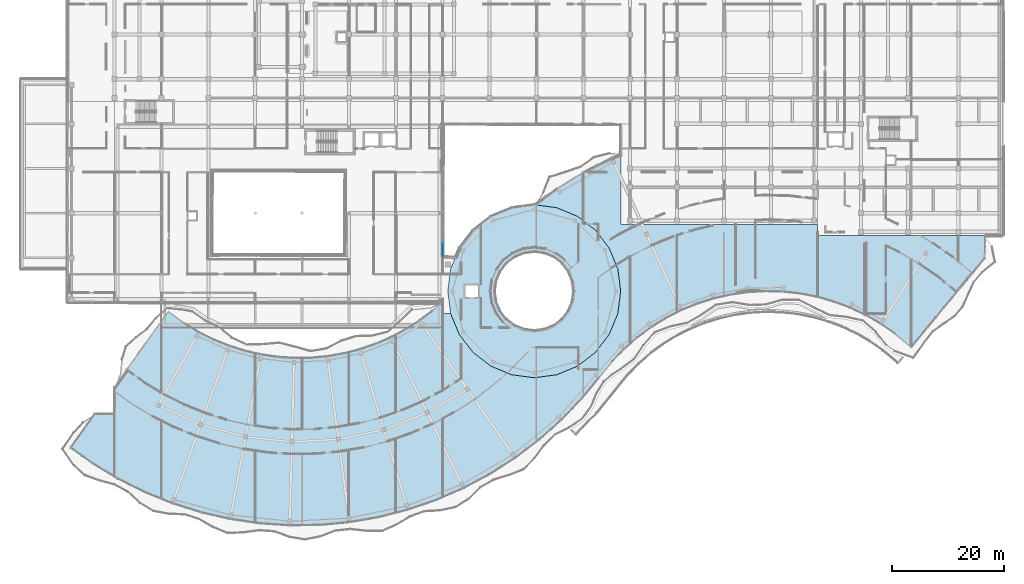
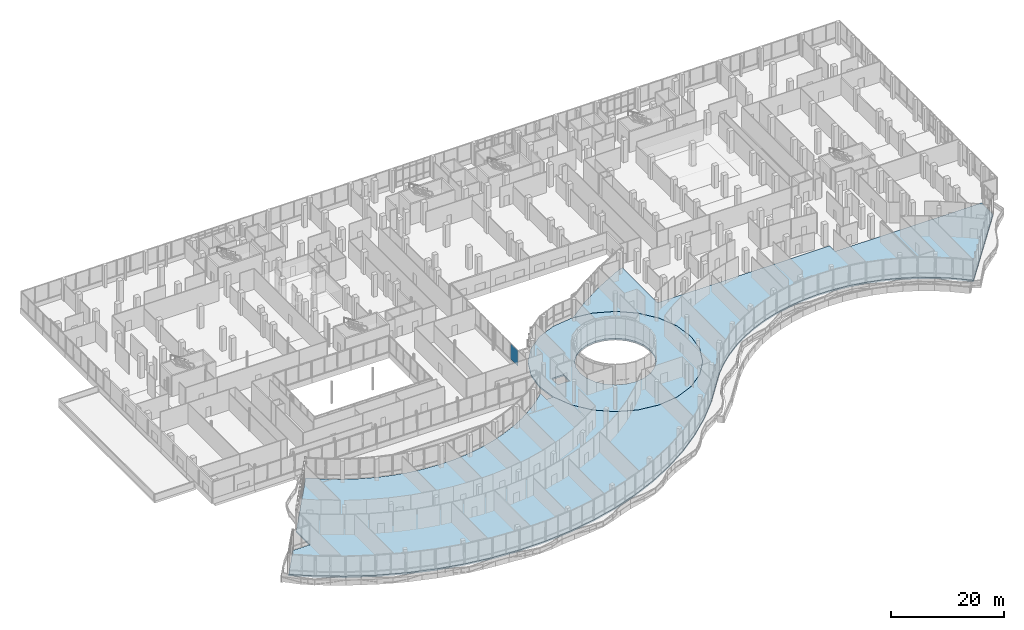
# One storey, part 129 of 168: 2 slabs, 1 plate, 1 element without a shape of its own.
"""IFC4 building model written with IfcOpenShell, lengths in metres."""

from ifc_helpers import new_model, si_unit, direction, frame, origin, origin_2d, place, context, subcontext, project, spatial, polyline, rectangle, outline, extrude, material, layer, layer_set, type_object, element, aggregate, save


model = new_model("IFC4")

# Units and contexts
model_context = context("Model", 3, precision=1e-05, world=origin(), true_north=direction((0.0, 1.0)))
body_context = subcontext(model_context, "Body", "Model", "MODEL_VIEW")
ifc_project = project(units=[si_unit("LENGTHUNIT", "METRE"), si_unit("AREAUNIT", "SQUARE_METRE"), si_unit("VOLUMEUNIT", "CUBIC_METRE"), si_unit("PLANEANGLEUNIT", "RADIAN"), si_unit("MASSUNIT", "GRAM", prefix="KILO")], contexts=[model_context])

# Site, building, storey
site_placement = place(None, origin())
site = spatial("IfcSite", under=ifc_project, at=site_placement, CompositionType="ELEMENT")
building_placement = place(site_placement, origin())
building = spatial("IfcBuilding", under=site, at=building_placement, Name="Selatvlak General Hospital", CompositionType="ELEMENT")
storey_placement = place(building_placement, frame((0.0, 0.0, 5.39990234375)))
storey = spatial("IfcBuildingStorey", under=building, at=storey_placement, Name="L01", CompositionType="ELEMENT", Elevation=5.39990234375)

# Curtain wall, plate
ifc_material_1 = material(Name="Solar-control Low-E double glazing", Category="glass")
curtain_wall_type = type_object("IfcCurtainWallType", Name="CW-CW-01", PredefinedType="USERDEFINED", material=ifc_material_1)
curtain_wall_placement = place(storey_placement, origin())
curtain_wall = element("IfcCurtainWall", 1, at=curtain_wall_placement, inside=storey, type_object=curtain_wall_type, Name="Glazed facade curtain wall CW-L01-0228", ObjectType="UNITISED CURTAIN WALL", PredefinedType="USERDEFINED")
ifc_layer_1 = layer(ifc_material_1, 0.028076171875, Name="Solar-control Low-E double glazing", Category="glass")
ifc_layer_set_1 = layer_set([ifc_layer_1], Name="Solar-control Low-E double glazing")
plate_type = type_object("IfcPlateType", Name="CWP-01", PredefinedType="CURTAIN_PANEL", material=ifc_layer_set_1)
plate_placement = place(storey_placement, frame((81.603271484375, 61.407958984375, 1.005126953125), z_axis=(0.0, 0.0, 1.0), x_axis=(-0.002531637448, -0.999996795401, 0.0)))
plate = element("IfcPlate", 2, at=plate_placement, type_object=plate_type, Name="CW-01 panel 3.1", PredefinedType="CURTAIN_PANEL", context=body_context, shape_type="SweptSolid", body=[
    extrude(rectangle(XDim=2.535888671875, YDim=0.028076171875, at=origin_2d()), origin(), (0.0, 0.0, 1.0), 3.375),
])
aggregate(curtain_wall, [plate])

# Slabs
ifc_material_2 = material(Name="Concrete C40/50", Category="concrete")
ifc_layer_2 = layer(ifc_material_2, 0.320068359375, Name="Concrete C40/50", Category="concrete")
ifc_layer_set_2 = layer_set([ifc_layer_2], Name="Concrete C40/50")
slab_type = type_object("IfcSlabType", Name="SLAB-SL-FL1", PredefinedType="FLOOR", material=ifc_layer_set_2)
slab_1_placement = place(storey_placement, frame((0.0, 0.0, -0.31982421875)))
element("IfcSlab", 3, at=slab_1_placement, inside=storey, type_object=slab_type, Name="L01 V1 structural slab", PredefinedType="FLOOR", context=body_context, shape_type="SweptSolid", body=[
    extrude(outline(polyline([(111.423095703125, 46.25), (108.9599609375, 43.0400390625), (105.75, 40.576904296875), (102.011962890625, 39.028076171875), (98.0, 38.5), (93.988037109375, 39.028076171875), (90.25, 40.576904296875), (87.0400390625, 43.0400390625), (84.576904296875, 46.25), (83.028076171875, 49.988037109375), (82.5, 54.0), (83.028076171875, 58.011962890625), (84.576904296875, 61.75), (87.0400390625, 64.9599609375), (90.25, 67.423095703125), (93.988037109375, 68.971923828125), (98.0, 69.5), (102.011962890625, 68.971923828125), (105.75, 67.423095703125), (108.9599609375, 64.9599609375), (111.423095703125, 61.75), (112.971923828125, 58.011962890625), (113.5, 54.0), (112.971923828125, 49.988037109375), (111.423095703125, 46.25)]), holes=[polyline([(104.235107421875, 57.60009765625), (103.091064453125, 59.091064453125), (101.60009765625, 60.235107421875), (99.863037109375, 60.955078125), (98.0, 61.199951171875), (96.136962890625, 60.955078125), (94.39990234375, 60.235107421875), (92.908935546875, 59.091064453125), (91.764892578125, 57.60009765625), (91.044921875, 55.863037109375), (90.800048828125, 54.0), (91.044921875, 52.136962890625), (91.764892578125, 50.39990234375), (92.908935546875, 48.908935546875), (94.39990234375, 47.764892578125), (96.136962890625, 47.044921875), (98.0, 46.800048828125), (99.863037109375, 47.044921875), (101.60009765625, 47.764892578125), (103.091064453125, 48.908935546875), (104.235107421875, 50.39990234375), (104.955078125, 52.136962890625), (105.199951171875, 54.0), (104.955078125, 55.863037109375), (104.235107421875, 57.60009765625)]), polyline([(88.0, 55.10009765625), (85.60009765625, 55.10009765625), (85.60009765625, 52.89990234375), (88.0, 52.89990234375), (88.0, 55.10009765625)])]), origin(), (0.0, 0.0, 1.0), 0.31982421875),
])
slab_2_placement = place(storey_placement, frame((0.0, 0.0, -0.31982421875)))
element("IfcSlab", 4, at=slab_2_placement, inside=storey, type_object=slab_type, Name="L01 V6 structural slab", PredefinedType="FLOOR", context=body_context, shape_type="SweptSolid", body=[
    extrude(outline(polyline([(40.549072265625, 45.3310546875), (43.31298828125, 44.2119140625), (46.157958984375, 43.31494140625), (49.06298828125, 42.64697265625), (52.011962890625, 42.212890625), (54.988037109375, 42.012939453125), (57.967041015625, 42.051025390625), (60.93603515625, 42.325927734375), (63.873046875, 42.8359375), (66.763916015625, 43.5791015625), (69.58203125, 44.5458984375), (72.31396484375, 45.735107421875), (74.947021484375, 47.138916015625), (77.4580078125, 48.74609375), (79.83203125, 50.547119140625), (81.450927734375, 51.991943359375), (81.592041015625, 51.991943359375), (81.592041015625, 50.0), (83.01806640625, 49.991943359375), (84.570068359375, 46.2470703125), (87.033935546875, 43.034912109375), (90.2451171875, 40.571044921875), (93.985107421875, 39.02099609375), (97.9990234375, 38.491943359375), (102.012939453125, 39.02001953125), (105.7529296875, 40.570068359375), (108.965087890625, 43.033935546875), (111.428955078125, 46.2451171875), (112.97900390625, 49.985107421875), (113.508056640625, 53.9990234375), (112.97998046875, 58.012939453125), (111.429931640625, 61.7529296875), (108.966064453125, 64.965087890625), (105.7548828125, 67.428955078125), (102.014892578125, 68.97900390625), (98.216064453125, 69.47998046875), (102.152099609375, 72.39111328125), (106.91796875, 75.3369140625), (111.909912109375, 77.876953125), (113.592041015625, 78.56396484375), (113.592041015625, 66.0), (148.7919921875, 65.991943359375), (148.7919921875, 64.0), (178.800048828125, 63.991943359375), (178.800048828125, 59.947998046875), (165.56201171875, 43.9619140625), (162.695068359375, 46.35302734375), (160.14208984375, 48.131103515625), (157.448974609375, 49.693115234375), (154.635009765625, 51.02587890625), (151.722900390625, 52.12109375), (148.73095703125, 52.969970703125), (145.676025390625, 53.568115234375), (142.5810546875, 53.910888671875), (139.468994140625, 53.99609375), (136.364990234375, 53.823974609375), (133.281005859375, 53.39306640625), (130.243896484375, 52.708984375), (127.277099609375, 51.77587890625), (124.39599609375, 50.59912109375), (121.6201171875, 49.18701171875), (118.97412109375, 47.551025390625), (116.471923828125, 45.699951171875), (114.132080078125, 43.64892578125), (111.968994140625, 41.408935546875), (109.6240234375, 38.51904296875), (106.612060546875, 34.837890625), (102.904052734375, 30.9580078125), (98.89990234375, 27.386962890625), (94.6240234375, 24.14208984375), (90.10302734375, 21.2490234375), (85.3701171875, 18.72509765625), (80.447998046875, 16.58203125), (75.3701171875, 14.839111328125), (70.175048828125, 13.506103515625), (64.887939453125, 12.587890625), (59.54296875, 12.093017578125), (54.176025390625, 12.02490234375), (48.822021484375, 12.383056640625), (43.512939453125, 13.1650390625), (38.281982421875, 14.366943359375), (33.1650390625, 15.97998046875), (28.19091796875, 17.9951171875), (23.39306640625, 20.39794921875), (18.799072265625, 23.176025390625), (14.9189453125, 25.951904296875), (19.26904296875, 32.0), (22.800048828125, 32.0), (22.800048828125, 36.907958984375), (32.43701171875, 50.305908203125), (35.3330078125, 48.2080078125), (37.883056640625, 46.666015625), (40.549072265625, 45.3310546875)])), origin(), (0.0, 0.0, 1.0), 0.31982421875),
])

save(model, "model.ifc")
